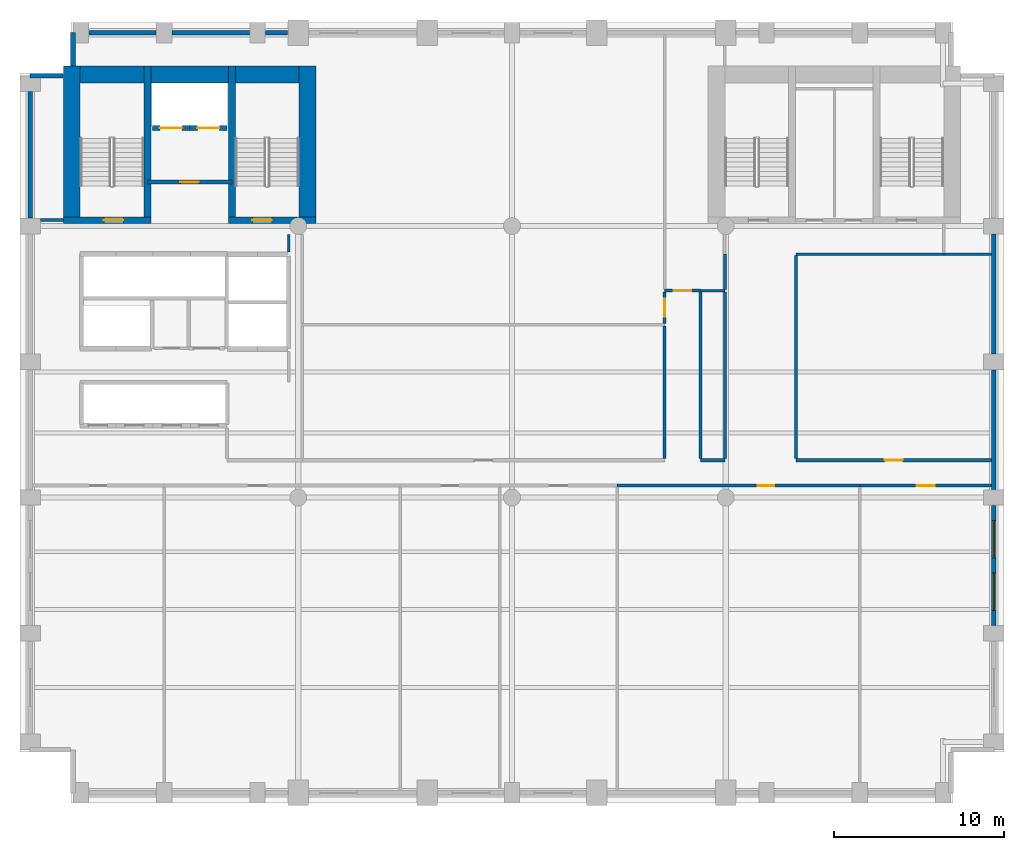
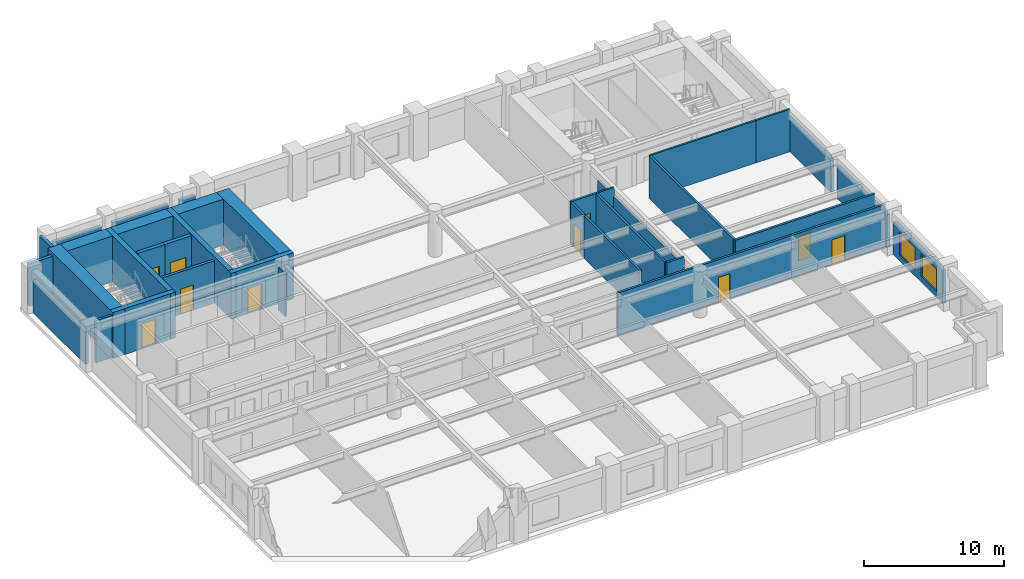
# One storey, part 4 of 8: 35 walls, 10 doors, 2 windows, 12 openings.
"""IFC4 building model written with IfcOpenShell, lengths in metres."""

from ifc_helpers import new_model, si_unit, direction, frame, frame_2d, origin, place, context, subcontext, project, spatial, rectangle, extrude, material, layer, layer_set, type_object, element, fill, save


model = new_model("IFC4")

# Units and contexts
model_context = context("Model", 3, precision=1e-05, world=origin(), true_north=direction((0.0, 1.0)))
body_context = subcontext(model_context, "Body", "Model", "MODEL_VIEW")
ifc_project = project(units=[si_unit("LENGTHUNIT", "METRE"), si_unit("AREAUNIT", "SQUARE_METRE"), si_unit("VOLUMEUNIT", "CUBIC_METRE"), si_unit("PLANEANGLEUNIT", "RADIAN"), si_unit("MASSUNIT", "GRAM", prefix="KILO")], contexts=[model_context])

# Site, building, storey
site_placement = place(None, origin())
site = spatial("IfcSite", under=ifc_project, at=site_placement, CompositionType="ELEMENT")
building_placement = place(site_placement, origin())
building = spatial("IfcBuilding", under=site, at=building_placement, Name="Sulina Concourse Tower", CompositionType="ELEMENT")
storey_placement = place(building_placement, frame((0.0, 0.0, 74.60009765625)))
storey = spatial("IfcBuildingStorey", under=building, at=storey_placement, Name="L18", CompositionType="ELEMENT", Elevation=74.60009765625)

# Wall, opening, door
ifc_material_1 = material(Name="Concrete C50/60", Category="concrete")
ifc_layer_1 = layer(ifc_material_1, 0.300048828125)
ifc_layer_set_1 = layer_set([ifc_layer_1], Name="Concrete C50/60")
wall_type_1 = type_object("IfcWallType", Name="Core Lift Hoistway Wall 300mm", PredefinedType="SOLIDWALL", material=ifc_layer_set_1)
wall_1_placement = place(storey_placement, frame((10.0, 39.780029296875, 0.0), z_axis=(0.0, 0.0, 1.0), x_axis=(-1.0, 0.0, 0.0)))
wall_1 = element("IfcWall", 1, at=wall_1_placement, inside=storey, type_object=wall_type_1, Name="L18 hoistway enclosure wall FFL-1", PredefinedType="SOLIDWALL", context=body_context, shape_type="SweptSolid", body=[
    extrude(rectangle(XDim=2.199951171875, YDim=0.300048828125, at=frame_2d((1.10009765625, 0.0))), origin(), (0.0, 0.0, 1.0), 4.0),
])
opening_1_placement = place(wall_1_placement, frame((0.449951171875, 0.0, 0.0)))
opening_1 = element("IfcOpeningElement", 2, at=opening_1_placement, cuts=wall_1, Name="Opening LD-02", PredefinedType="OPENING", context=body_context, shape_type="SweptSolid", body=[
    extrude(rectangle(XDim=1.300048828125, YDim=2.25, at=frame_2d((0.64990234375, 1.125))), frame((0.0, 0.159912109375, 0.0), z_axis=(0.0, -1.0, 0.0), x_axis=(1.0, 0.0, 0.0)), (0.0, 0.0, 1.0), 0.320068359375),
])
ifc_material_2 = material(Name="Stainless steel lift landing door", Category="steel")
ifc_layer_2 = layer(ifc_material_2, 0.050048828125)
ifc_layer_set_2 = layer_set([ifc_layer_2], Name="Stainless steel lift landing door")
door_type_1 = type_object("IfcDoorType", Name="Firefighting Lift Sliding Landing Door 1300x2250", OperationType="SLIDING_TO_RIGHT", PredefinedType="DOOR", material=ifc_layer_set_2)
door_1_placement = place(opening_1_placement, origin())
door_1 = element("IfcDoor", 3, at=door_1_placement, inside=storey, type_object=door_type_1, Name="L18 lift landing sliding door FFL-1", OperationType="SLIDING_TO_LEFT", OverallHeight=2.25, OverallWidth=1.300048828125, PredefinedType="DOOR", context=body_context, shape_type="SweptSolid", body=[
    extrude(rectangle(XDim=1.300048828125, YDim=2.25, at=frame_2d((0.64990234375, 1.125))), frame((0.0, 0.02490234375, 0.0), z_axis=(0.0, -1.0, 0.0), x_axis=(1.0, 0.0, 0.0)), (0.0, 0.0, 1.0), 0.050048828125),
])
fill(opening_1, door_1)

wall_2_placement = place(storey_placement, frame((12.199951171875, 39.780029296875, 0.0), z_axis=(0.0, 0.0, 1.0), x_axis=(-1.0, 0.0, 0.0)))
wall_2 = element("IfcWall", 4, at=wall_2_placement, inside=storey, type_object=wall_type_1, Name="L18 hoistway enclosure wall FFL-2", PredefinedType="SOLIDWALL", context=body_context, shape_type="SweptSolid", body=[
    extrude(rectangle(XDim=2.199951171875, YDim=0.300048828125, at=frame_2d((1.10009765625, 0.0))), origin(), (0.0, 0.0, 1.0), 4.0),
])
opening_2_placement = place(wall_2_placement, frame((0.449951171875, 0.0, 0.0)))
opening_2 = element("IfcOpeningElement", 5, at=opening_2_placement, cuts=wall_2, Name="Opening LD-02", PredefinedType="OPENING", context=body_context, shape_type="SweptSolid", body=[
    extrude(rectangle(XDim=1.300048828125, YDim=2.25, at=frame_2d((0.64990234375, 1.125))), frame((0.0, 0.159912109375, 0.0), z_axis=(0.0, -1.0, 0.0), x_axis=(1.0, 0.0, 0.0)), (0.0, 0.0, 1.0), 0.320068359375),
])
door_2_placement = place(opening_2_placement, origin())
door_2 = element("IfcDoor", 6, at=door_2_placement, inside=storey, type_object=door_type_1, Name="L18 lift landing sliding door FFL-2", OperationType="SLIDING_TO_RIGHT", OverallHeight=2.25, OverallWidth=1.300048828125, PredefinedType="DOOR", context=body_context, shape_type="SweptSolid", body=[
    extrude(rectangle(XDim=1.300048828125, YDim=2.25, at=frame_2d((0.64990234375, 1.125))), frame((0.0, 0.02490234375, 0.0), z_axis=(0.0, -1.0, 0.0), x_axis=(1.0, 0.0, 0.0)), (0.0, 0.0, 1.0), 0.050048828125),
])
fill(opening_2, door_2)

ifc_material_3 = material(Name="Gypsum board on steel stud", Category="steel")
ifc_layer_3 = layer(ifc_material_3, 0.219970703125)
ifc_layer_set_3 = layer_set([ifc_layer_3], Name="Gypsum board on steel stud")
wall_type_2 = type_object("IfcWallType", Name="Fire-Rated Lobby & Compartment Wall 220mm", PredefinedType="PARTITIONING", material=ifc_layer_set_3)
wall_3_placement = place(storey_placement, frame((7.510009765625, 36.60009765625, 0.0), z_axis=(0.0, 0.0, 1.0), x_axis=(1.0, 0.0, 0.0)))
wall_3 = element("IfcWall", 7, at=wall_3_placement, inside=storey, type_object=wall_type_2, Name="L18 firefighting lobby south fire wall", PredefinedType="PARTITIONING", context=body_context, shape_type="SweptSolid", body=[
    extrude(rectangle(XDim=4.97998046875, YDim=0.219970703125, at=frame_2d((2.489990234375, 0.0))), origin(), (0.0, 0.0, 1.0), 3.699951171875),
])
opening_3_placement = place(wall_3_placement, frame((1.93994140625, 0.0, 0.0)))
opening_3 = element("IfcOpeningElement", 8, at=opening_3_placement, cuts=wall_3, Name="Opening DR-47", PredefinedType="OPENING", context=body_context, shape_type="SweptSolid", body=[
    extrude(rectangle(XDim=1.10009765625, YDim=2.199951171875, at=frame_2d((0.550048828125, 1.10009765625))), frame((0.0, 0.119873046875, 0.0), z_axis=(0.0, -1.0, 0.0), x_axis=(1.0, 0.0, 0.0)), (0.0, 0.0, 1.0), 0.239990234375),
])
ifc_material_4 = material(Name="Galvanised steel acoustic fire leaf", Category="steel")
ifc_layer_4 = layer(ifc_material_4, 0.054931640625)
ifc_layer_set_4 = layer_set([ifc_layer_4], Name="Galvanised steel acoustic fire leaf")
door_type_2 = type_object("IfcDoorType", Name="Firefighting Lobby Fire Door 1100x2200", OperationType="NOTDEFINED", PredefinedType="DOOR", material=ifc_layer_set_4)
door_3_placement = place(opening_3_placement, origin())
door_3 = element("IfcDoor", 9, at=door_3_placement, inside=storey, type_object=door_type_2, Name="L18 firefighting lobby fire door", OperationType="SINGLE_SWING_LEFT", OverallHeight=2.199951171875, OverallWidth=1.10009765625, PredefinedType="DOOR", context=body_context, shape_type="SweptSolid", body=[
    extrude(rectangle(XDim=1.10009765625, YDim=2.199951171875, at=frame_2d((0.550048828125, 1.10009765625))), frame((0.0, 0.02490234375, 0.0), z_axis=(0.0, -1.0, 0.0), x_axis=(1.0, 0.0, 0.0)), (0.0, 0.0, 1.0), 0.050048828125),
])
fill(opening_3, door_3)

# Walls
ifc_material_5 = material(Name="Gypsum board on steel stud", Category="steel")
ifc_layer_5 = layer(ifc_material_5, 0.14990234375)
ifc_layer_set_5 = layer_set([ifc_layer_5], Name="Gypsum board on steel stud")
wall_type_3 = type_object("IfcWallType", Name="Inter-Tenancy Acoustic Partition 150mm", PredefinedType="PARTITIONING", material=ifc_layer_set_5)
wall_4_placement = place(storey_placement, frame((40.10009765625, 30.199951171875, 0.0), z_axis=(0.0, 0.0, 1.0), x_axis=(1.0, 0.0, 0.0)))
element("IfcWall", 10, at=wall_4_placement, inside=storey, type_object=wall_type_3, Name="L18 interior partition 015", PredefinedType="PARTITIONING", context=body_context, shape_type="SweptSolid", body=[
    extrude(rectangle(XDim=1.449951171875, YDim=0.14990234375, at=frame_2d((0.72509765625, 0.0))), origin(), (0.0, 0.0, 1.0), 3.699951171875),
])
wall_5_placement = place(storey_placement, frame((45.75, 32.35009765625, 0.0), z_axis=(0.0, 0.0, 1.0), x_axis=(1.0, 0.0, 0.0)))
element("IfcWall", 11, at=wall_5_placement, inside=storey, type_object=wall_type_3, Name="L18 interior partition 016", PredefinedType="PARTITIONING", context=body_context, shape_type="SweptSolid", body=[
    extrude(rectangle(XDim=8.699951171875, YDim=0.14990234375, at=frame_2d((4.35009765625, 0.0))), origin(), (0.0, 0.0, 1.0), 3.699951171875),
])
wall_6_placement = place(storey_placement, frame((54.449951171875, 32.35009765625, 0.0), z_axis=(0.0, 0.0, 1.0), x_axis=(1.0, 0.0, 0.0)))
element("IfcWall", 12, at=wall_6_placement, inside=storey, type_object=wall_type_3, Name="L18 interior partition 017", PredefinedType="PARTITIONING", context=body_context, shape_type="SweptSolid", body=[
    extrude(rectangle(XDim=2.81005859375, YDim=0.14990234375, at=frame_2d((1.405029296875, 0.0))), origin(), (0.0, 0.0, 1.0), 3.699951171875),
])
wall_7_placement = place(storey_placement, frame((15.85009765625, 32.469970703125, 0.0), z_axis=(0.0, 0.0, 1.0), x_axis=(0.0, 1.0, 0.0)))
element("IfcWall", 13, at=wall_7_placement, inside=storey, type_object=wall_type_3, Name="L18 interior partition 025", PredefinedType="PARTITIONING", context=body_context, shape_type="SweptSolid", body=[
    extrude(rectangle(XDim=1.030029296875, YDim=0.14990234375, at=frame_2d((0.51513671875, 0.0))), origin(), (0.0, 0.0, 1.0), 3.699951171875),
])

# Wall, opening, door
ifc_material_6 = material(Name="Gypsum board on steel stud", Category="steel")
ifc_layer_6 = layer(ifc_material_6, 0.179931640625)
ifc_layer_set_6 = layer_set([ifc_layer_6], Name="Gypsum board on steel stud")
wall_type_4 = type_object("IfcWallType", Name="Protected Corridor & Riser Partition 180mm", PredefinedType="PARTITIONING", material=ifc_layer_set_6)
wall_8_placement = place(storey_placement, frame((35.199951171875, 18.699951171875, 0.0), z_axis=(0.0, 0.0, 1.0), x_axis=(1.0, 0.0, 0.0)))
wall_8 = element("IfcWall", 14, at=wall_8_placement, inside=storey, type_object=wall_type_4, Name="L18 interior partition 005", PredefinedType="PARTITIONING", context=body_context, shape_type="SweptSolid", body=[
    extrude(rectangle(XDim=14.300048828125, YDim=0.179931640625, at=frame_2d((7.14990234375, 0.0))), origin(), (0.0, 0.0, 1.0), 3.699951171875),
])
opening_4_placement = place(wall_8_placement, frame((8.294921875, 0.0, 0.0)))
opening_4 = element("IfcOpeningElement", 15, at=opening_4_placement, cuts=wall_8, Name="Opening DR-19", PredefinedType="OPENING", context=body_context, shape_type="SweptSolid", body=[
    extrude(rectangle(XDim=0.949951171875, YDim=2.14990234375, at=frame_2d((0.47509765625, 1.074951171875))), frame((0.0, 0.099853515625, 0.0), z_axis=(0.0, -1.0, 0.0), x_axis=(1.0, 0.0, 0.0)), (0.0, 0.0, 1.0), 0.199951171875),
])
ifc_material_7 = material(Name="Oak-veneered acoustic timber leaf", Category="wood")
ifc_layer_7 = layer(ifc_material_7, 0.050048828125)
ifc_layer_set_7 = layer_set([ifc_layer_7], Name="Oak-veneered acoustic timber leaf")
door_type_3 = type_object("IfcDoorType", Name="Cellular Office & Meeting Door 950x2150", OperationType="NOTDEFINED", PredefinedType="DOOR", material=ifc_layer_set_7)
door_4_placement = place(opening_4_placement, origin())
door_4 = element("IfcDoor", 16, at=door_4_placement, inside=storey, type_object=door_type_3, Name="L18 interior door L18-S04", OperationType="SINGLE_SWING_RIGHT", OverallHeight=2.14990234375, OverallWidth=0.949951171875, PredefinedType="DOOR", context=body_context, shape_type="SweptSolid", body=[
    extrude(rectangle(XDim=0.949951171875, YDim=2.14990234375, at=frame_2d((0.47509765625, 1.074951171875))), frame((0.0, 0.02490234375, 0.0), z_axis=(0.0, -1.0, 0.0), x_axis=(1.0, 0.0, 0.0)), (0.0, 0.0, 1.0), 0.050048828125),
])
fill(opening_4, door_4)

wall_9_placement = place(storey_placement, frame((49.5, 18.699951171875, 0.0), z_axis=(0.0, 0.0, 1.0), x_axis=(1.0, 0.0, 0.0)))
wall_9 = element("IfcWall", 17, at=wall_9_placement, inside=storey, type_object=wall_type_4, Name="L18 interior partition 006", PredefinedType="PARTITIONING", context=body_context, shape_type="SweptSolid", body=[
    extrude(rectangle(XDim=7.760009765625, YDim=0.179931640625, at=frame_2d((3.8798828125, 0.0))), origin(), (0.0, 0.0, 1.0), 3.699951171875),
])
opening_5_placement = place(wall_9_placement, frame((3.35498046875, 0.0, 0.0)))
opening_5 = element("IfcOpeningElement", 18, at=opening_5_placement, cuts=wall_9, Name="Opening DR-37", PredefinedType="OPENING", context=body_context, shape_type="SweptSolid", body=[
    extrude(rectangle(XDim=1.050048828125, YDim=2.14990234375, at=frame_2d((0.52490234375, 1.074951171875))), frame((0.0, 0.099853515625, 0.0), z_axis=(0.0, -1.0, 0.0), x_axis=(1.0, 0.0, 0.0)), (0.0, 0.0, 1.0), 0.199951171875),
])
ifc_material_8 = material(Name="Oak-veneered fire door leaf")
ifc_layer_8 = layer(ifc_material_8, 0.050048828125)
ifc_layer_set_8 = layer_set([ifc_layer_8], Name="Oak-veneered fire door leaf")
door_type_4 = type_object("IfcDoorType", Name="Tenant Suite Entrance Fire Door 1050x2150", OperationType="NOTDEFINED", PredefinedType="DOOR", material=ifc_layer_set_8)
door_5_placement = place(opening_5_placement, origin())
door_5 = element("IfcDoor", 19, at=door_5_placement, inside=storey, type_object=door_type_4, Name="L18 interior door L18-S05", OperationType="SINGLE_SWING_LEFT", OverallHeight=2.14990234375, OverallWidth=1.050048828125, PredefinedType="DOOR", context=body_context, shape_type="SweptSolid", body=[
    extrude(rectangle(XDim=1.050048828125, YDim=2.14990234375, at=frame_2d((0.52490234375, 1.074951171875))), frame((0.0, 0.02490234375, 0.0), z_axis=(0.0, -1.0, 0.0), x_axis=(1.0, 0.0, 0.0)), (0.0, 0.0, 1.0), 0.050048828125),
])
fill(opening_5, door_5)

# Wall
wall_10_placement = place(storey_placement, frame((40.10009765625, 20.199951171875, 0.0), z_axis=(0.0, 0.0, 1.0), x_axis=(1.0, 0.0, 0.0)))
element("IfcWall", 20, at=wall_10_placement, inside=storey, type_object=wall_type_4, Name="L18 interior partition 009", PredefinedType="PARTITIONING", context=body_context, shape_type="SweptSolid", body=[
    extrude(rectangle(XDim=1.449951171875, YDim=0.179931640625, at=frame_2d((0.72509765625, 0.0))), origin(), (0.0, 0.0, 1.0), 3.699951171875),
])

# Wall, opening, door
wall_11_placement = place(storey_placement, frame((45.75, 20.199951171875, 0.0), z_axis=(0.0, 0.0, 1.0), x_axis=(1.0, 0.0, 0.0)))
wall_11 = element("IfcWall", 21, at=wall_11_placement, inside=storey, type_object=wall_type_4, Name="L18 interior partition 010", PredefinedType="PARTITIONING", context=body_context, shape_type="SweptSolid", body=[
    extrude(rectangle(XDim=11.510009765625, YDim=0.179931640625, at=frame_2d((5.7548828125, 0.0))), origin(), (0.0, 0.0, 1.0), 3.699951171875),
])
opening_6_placement = place(wall_11_placement, frame((5.22998046875, 0.0, 0.0)))
opening_6 = element("IfcOpeningElement", 22, at=opening_6_placement, cuts=wall_11, Name="Opening DR-37", PredefinedType="OPENING", context=body_context, shape_type="SweptSolid", body=[
    extrude(rectangle(XDim=1.050048828125, YDim=2.14990234375, at=frame_2d((0.52490234375, 1.074951171875))), frame((0.0, 0.099853515625, 0.0), z_axis=(0.0, -1.0, 0.0), x_axis=(1.0, 0.0, 0.0)), (0.0, 0.0, 1.0), 0.199951171875),
])
door_6_placement = place(opening_6_placement, origin())
door_6 = element("IfcDoor", 23, at=door_6_placement, inside=storey, type_object=door_type_4, Name="L18 interior door L18-NE1", OperationType="SINGLE_SWING_LEFT", OverallHeight=2.14990234375, OverallWidth=1.050048828125, PredefinedType="DOOR", context=body_context, shape_type="SweptSolid", body=[
    extrude(rectangle(XDim=1.050048828125, YDim=2.14990234375, at=frame_2d((0.52490234375, 1.074951171875))), frame((0.0, 0.02490234375, 0.0), z_axis=(0.0, -1.0, 0.0), x_axis=(1.0, 0.0, 0.0)), (0.0, 0.0, 1.0), 0.050048828125),
])
fill(opening_6, door_6)

wall_12_placement = place(storey_placement, frame((38.0, 30.199951171875, 0.0), z_axis=(0.0, 0.0, 1.0), x_axis=(1.0, 0.0, 0.0)))
wall_12 = element("IfcWall", 24, at=wall_12_placement, inside=storey, type_object=wall_type_4, Name="L18 interior partition 014", PredefinedType="PARTITIONING", context=body_context, shape_type="SweptSolid", body=[
    extrude(rectangle(XDim=2.10009765625, YDim=0.179931640625, at=frame_2d((1.050048828125, 0.0))), origin(), (0.0, 0.0, 1.0), 3.699951171875),
])
opening_7_placement = place(wall_12_placement, frame((0.52490234375, 0.0, 0.0)))
opening_7 = element("IfcOpeningElement", 25, at=opening_7_placement, cuts=wall_12, Name="Opening DR-37", PredefinedType="OPENING", context=body_context, shape_type="SweptSolid", body=[
    extrude(rectangle(XDim=1.050048828125, YDim=2.14990234375, at=frame_2d((0.52490234375, 1.074951171875))), frame((0.0, 0.099853515625, 0.0), z_axis=(0.0, -1.0, 0.0), x_axis=(1.0, 0.0, 0.0)), (0.0, 0.0, 1.0), 0.199951171875),
])
door_7_placement = place(opening_7_placement, origin())
door_7 = element("IfcDoor", 26, at=door_7_placement, inside=storey, type_object=door_type_4, Name="L18 interior door L18-NC4", OperationType="SINGLE_SWING_LEFT", OverallHeight=2.14990234375, OverallWidth=1.050048828125, PredefinedType="DOOR", context=body_context, shape_type="SweptSolid", body=[
    extrude(rectangle(XDim=1.050048828125, YDim=2.14990234375, at=frame_2d((0.52490234375, 1.074951171875))), frame((0.0, 0.02490234375, 0.0), z_axis=(0.0, -1.0, 0.0), x_axis=(1.0, 0.0, 0.0)), (0.0, 0.0, 1.0), 0.050048828125),
])
fill(opening_7, door_7)

# Walls
wall_13_placement = place(storey_placement, frame((1.199951171875, 34.35009765625, 0.0), z_axis=(0.0, 0.0, 1.0), x_axis=(1.0, 0.0, 0.0)))
element("IfcWall", 27, at=wall_13_placement, inside=storey, type_object=wall_type_4, Name="L18 interior partition 018", PredefinedType="PARTITIONING", context=body_context, shape_type="SweptSolid", body=[
    extrude(rectangle(XDim=1.35009765625, YDim=0.179931640625, at=frame_2d((0.675048828125, 0.0))), origin(), (0.0, 0.0, 1.0), 3.699951171875),
])
wall_14_placement = place(storey_placement, frame((38.0, 20.2900390625, 0.0), z_axis=(0.0, 0.0, 1.0), x_axis=(0.0, 1.0, 0.0)))
element("IfcWall", 28, at=wall_14_placement, inside=storey, type_object=wall_type_4, Name="L18 interior partition 031", PredefinedType="PARTITIONING", context=body_context, shape_type="SweptSolid", body=[
    extrude(rectangle(XDim=7.8349609375, YDim=0.179931640625, at=frame_2d((3.91748046875, 0.0))), origin(), (0.0, 0.0, 1.0), 3.699951171875),
])

# Wall, opening, door
wall_15_placement = place(storey_placement, frame((38.0, 28.27490234375, 0.0), z_axis=(0.0, 0.0, 1.0), x_axis=(0.0, 1.0, 0.0)))
wall_15 = element("IfcWall", 29, at=wall_15_placement, inside=storey, type_object=wall_type_4, Name="L18 interior partition 032", PredefinedType="PARTITIONING", context=body_context, shape_type="SweptSolid", body=[
    extrude(rectangle(XDim=1.835205078125, YDim=0.179931640625, at=frame_2d((0.91748046875, 0.0))), origin(), (0.0, 0.0, 1.0), 3.699951171875),
])
opening_8_placement = place(wall_15_placement, frame((0.392578125, 0.0, 0.0)))
opening_8 = element("IfcOpeningElement", 30, at=opening_8_placement, cuts=wall_15, Name="Opening DR-37", PredefinedType="OPENING", context=body_context, shape_type="SweptSolid", body=[
    extrude(rectangle(XDim=1.050048828125, YDim=2.14990234375, at=frame_2d((0.52490234375, 1.074951171875))), frame((0.0, 0.099853515625, 0.0), z_axis=(0.0, -1.0, 0.0), x_axis=(1.0, 0.0, 0.0)), (0.0, 0.0, 1.0), 0.199951171875),
])
door_8_placement = place(opening_8_placement, origin())
door_8 = element("IfcDoor", 31, at=door_8_placement, inside=storey, type_object=door_type_4, Name="L18 interior door L18-NC2", OperationType="SINGLE_SWING_RIGHT", OverallHeight=2.14990234375, OverallWidth=1.050048828125, PredefinedType="DOOR", context=body_context, shape_type="SweptSolid", body=[
    extrude(rectangle(XDim=1.050048828125, YDim=2.14990234375, at=frame_2d((0.52490234375, 1.074951171875))), frame((0.0, 0.02490234375, 0.0), z_axis=(0.0, -1.0, 0.0), x_axis=(1.0, 0.0, 0.0)), (0.0, 0.0, 1.0), 0.050048828125),
])
fill(opening_8, door_8)

# Walls
wall_16_placement = place(storey_placement, frame((40.10009765625, 20.2900390625, 0.0), z_axis=(0.0, 0.0, 1.0), x_axis=(0.0, 1.0, 0.0)))
element("IfcWall", 32, at=wall_16_placement, inside=storey, type_object=wall_type_4, Name="L18 interior partition 034", PredefinedType="PARTITIONING", context=body_context, shape_type="SweptSolid", body=[
    extrude(rectangle(XDim=9.820068359375, YDim=0.179931640625, at=frame_2d((4.91015625, 0.0))), origin(), (0.0, 0.0, 1.0), 3.699951171875),
])
wall_17_placement = place(storey_placement, frame((41.550048828125, 20.2900390625, 0.0), z_axis=(0.0, 0.0, 1.0), x_axis=(0.0, 1.0, 0.0)))
element("IfcWall", 33, at=wall_17_placement, inside=storey, type_object=wall_type_4, Name="L18 interior partition 035", PredefinedType="PARTITIONING", context=body_context, shape_type="SweptSolid", body=[
    extrude(rectangle(XDim=9.8349609375, YDim=0.179931640625, at=frame_2d((4.91748046875, 0.0))), origin(), (0.0, 0.0, 1.0), 2.994873046875),
])
wall_18_placement = place(storey_placement, frame((41.550048828125, 30.27490234375, 0.0), z_axis=(0.0, 0.0, 1.0), x_axis=(0.0, 1.0, 0.0)))
element("IfcWall", 34, at=wall_18_placement, inside=storey, type_object=wall_type_4, Name="L18 interior partition 036", PredefinedType="PARTITIONING", context=body_context, shape_type="SweptSolid", body=[
    extrude(rectangle(XDim=2.0751953125, YDim=0.179931640625, at=frame_2d((1.03759765625, 0.0))), origin(), (0.0, 0.0, 1.0), 2.994873046875),
])
wall_19_placement = place(storey_placement, frame((45.75, 20.2900390625, 0.0), z_axis=(0.0, 0.0, 1.0), x_axis=(0.0, 1.0, 0.0)))
element("IfcWall", 35, at=wall_19_placement, inside=storey, type_object=wall_type_4, Name="L18 interior partition 039", PredefinedType="PARTITIONING", context=body_context, shape_type="SweptSolid", body=[
    extrude(rectangle(XDim=11.98486328125, YDim=0.179931640625, at=frame_2d((5.992431640625, 0.0))), origin(), (0.0, 0.0, 1.0), 3.699951171875),
])

# Wall, opening, door
ifc_material_9 = material(Name="Concrete C60/75", Category="concrete")
ifc_layer_9 = layer(ifc_material_9, 0.39990234375)
ifc_layer_set_9 = layer_set([ifc_layer_9], Name="Concrete C60/75")
wall_type_5 = type_object("IfcWallType", Name="Protected Stair Core Shear Wall 400mm", PredefinedType="SHEAR", material=ifc_layer_set_9)
wall_20_placement = place(storey_placement, frame((2.550048828125, 34.35009765625, 0.0), z_axis=(0.0, 0.0, 1.0), x_axis=(1.0, 0.0, 0.0)))
wall_20 = element("IfcWall", 36, at=wall_20_placement, inside=storey, type_object=wall_type_5, Name="L18 west core shear wall CW-WS1", PredefinedType="SHEAR", context=body_context, shape_type="SweptSolid", body=[
    extrude(rectangle(XDim=5.159912109375, YDim=0.39990234375, at=frame_2d((2.580078125, 0.0))), origin(), (0.0, 0.0, 1.0), 4.0),
])
opening_9_placement = place(wall_20_placement, frame((2.39990234375, 0.0, 0.0)))
opening_9 = element("IfcOpeningElement", 37, at=opening_9_placement, cuts=wall_20, Name="Opening DR-60", PredefinedType="OPENING", context=body_context, shape_type="SweptSolid", body=[
    extrude(rectangle(XDim=1.14990234375, YDim=2.199951171875, at=frame_2d((0.574951171875, 1.10009765625))), frame((0.0, 0.2099609375, 0.0), z_axis=(0.0, -1.0, 0.0), x_axis=(1.0, 0.0, 0.0)), (0.0, 0.0, 1.0), 0.419921875),
])
ifc_material_10 = material(Name="Galvanised steel acoustic fire leaf", Category="steel")
ifc_layer_10 = layer(ifc_material_10, 0.054931640625)
ifc_layer_set_10 = layer_set([ifc_layer_10], Name="Galvanised steel acoustic fire leaf")
door_type_5 = type_object("IfcDoorType", Name="Protected Exit Stair Fire Door 1150x2200", OperationType="NOTDEFINED", PredefinedType="DOOR", material=ifc_layer_set_10)
door_9_placement = place(opening_9_placement, origin())
door_9 = element("IfcDoor", 38, at=door_9_placement, inside=storey, type_object=door_type_5, Name="L18 stair ST-1 lobby fire door", OperationType="SINGLE_SWING_LEFT", OverallHeight=2.199951171875, OverallWidth=1.14990234375, PredefinedType="DOOR", context=body_context, shape_type="SweptSolid", body=[
    extrude(rectangle(XDim=1.14990234375, YDim=2.199951171875, at=frame_2d((0.574951171875, 1.10009765625))), frame((0.0, 0.02490234375, 0.0), z_axis=(0.0, -1.0, 0.0), x_axis=(1.0, 0.0, 0.0)), (0.0, 0.0, 1.0), 0.050048828125),
])
fill(opening_9, door_9)

wall_21_placement = place(storey_placement, frame((12.2900390625, 34.35009765625, 0.0), z_axis=(0.0, 0.0, 1.0), x_axis=(1.0, 0.0, 0.0)))
wall_21 = element("IfcWall", 39, at=wall_21_placement, inside=storey, type_object=wall_type_5, Name="L18 west core shear wall CW-WS2", PredefinedType="SHEAR", context=body_context, shape_type="SweptSolid", body=[
    extrude(rectangle(XDim=5.159912109375, YDim=0.39990234375, at=frame_2d((2.580078125, 0.0))), origin(), (0.0, 0.0, 1.0), 4.0),
])
opening_10_placement = place(wall_21_placement, frame((1.39990234375, 0.0, 0.0)))
opening_10 = element("IfcOpeningElement", 40, at=opening_10_placement, cuts=wall_21, Name="Opening DR-60", PredefinedType="OPENING", context=body_context, shape_type="SweptSolid", body=[
    extrude(rectangle(XDim=1.14990234375, YDim=2.199951171875, at=frame_2d((0.574951171875, 1.10009765625))), frame((0.0, 0.2099609375, 0.0), z_axis=(0.0, -1.0, 0.0), x_axis=(1.0, 0.0, 0.0)), (0.0, 0.0, 1.0), 0.419921875),
])
door_10_placement = place(opening_10_placement, origin())
door_10 = element("IfcDoor", 41, at=door_10_placement, inside=storey, type_object=door_type_5, Name="L18 stair ST-2 lobby fire door", OperationType="SINGLE_SWING_RIGHT", OverallHeight=2.199951171875, OverallWidth=1.14990234375, PredefinedType="DOOR", context=body_context, shape_type="SweptSolid", body=[
    extrude(rectangle(XDim=1.14990234375, YDim=2.199951171875, at=frame_2d((0.574951171875, 1.10009765625))), frame((0.0, 0.02490234375, 0.0), z_axis=(0.0, -1.0, 0.0), x_axis=(1.0, 0.0, 0.0)), (0.0, 0.0, 1.0), 0.050048828125),
])
fill(opening_10, door_10)

# Walls
for number, where, z_axis, x_axis, name in (
    (42, (7.510009765625, 34.14990234375, 0.0), (0.0, 0.0, 1.0), (0.0, 1.0, 0.0), "L18 west core shear wall SW-ST1"),
    (43, (12.489990234375, 34.14990234375, 0.0), (0.0, 0.0, 1.0), (0.0, 1.0, 0.0), "L18 west core shear wall SW-ST2"),
):
    element("IfcWall", number, at=place(storey_placement, frame(where, z_axis=z_axis, x_axis=x_axis)), inside=storey, type_object=wall_type_5, Name=name, PredefinedType="SHEAR", context=body_context, shape_type="SweptSolid", body=[
        extrude(rectangle(XDim=9.280029296875, YDim=0.39990234375, at=frame_2d((4.64013671875, 0.0))), origin(), (0.0, 0.0, 1.0), 4.0),
    ])
ifc_material_11 = material(Name="Concrete C80/95", Category="concrete")
ifc_layer_11 = layer(ifc_material_11, 1.0)
ifc_layer_set_11 = layer_set([ifc_layer_11], Name="Concrete C80/95")
wall_type_6 = type_object("IfcWallType", Name="Rear Core Shear Wall 1000mm", PredefinedType="SHEAR", material=ifc_layer_set_11)
wall_22_placement = place(storey_placement, frame((2.550048828125, 42.929931640625, 0.0), z_axis=(0.0, 0.0, 1.0), x_axis=(1.0, 0.0, 0.0)))
element("IfcWall", 44, at=wall_22_placement, inside=storey, type_object=wall_type_6, Name="L18 west core shear wall CW-WN", PredefinedType="SHEAR", context=body_context, shape_type="SweptSolid", body=[
    extrude(rectangle(XDim=14.89990234375, YDim=1.0, at=frame_2d((7.449951171875, 0.0))), origin(), (0.0, 0.0, 1.0), 4.0),
])
for number, where, z_axis, x_axis, name in (
    (45, (3.050048828125, 34.14990234375, 0.0), (0.0, 0.0, 1.0), (0.0, 1.0, 0.0), "L18 west core shear wall CW-WW"),
    (46, (16.949951171875, 34.14990234375, 0.0), (0.0, 0.0, 1.0), (0.0, 1.0, 0.0), "L18 west core shear wall CW-WE"),
):
    element("IfcWall", number, at=place(storey_placement, frame(where, z_axis=z_axis, x_axis=x_axis)), inside=storey, type_object=wall_type_6, Name=name, PredefinedType="SHEAR", context=body_context, shape_type="SweptSolid", body=[
        extrude(rectangle(XDim=9.280029296875, YDim=1.0, at=frame_2d((4.64013671875, 0.0))), origin(), (0.0, 0.0, 1.0), 4.0),
    ])
ifc_material_12 = material(Name="Precast concrete C50/60", Category="concrete")
ifc_layer_12 = layer(ifc_material_12, 0.280029296875)
ifc_layer_set_12 = layer_set([ifc_layer_12], Name="Precast concrete C50/60")
wall_type_7 = type_object("IfcWallType", Name="Typical Precast Masonry-Frame Facade Wall 280mm", PredefinedType="SOLIDWALL", material=ifc_layer_set_12)
wall_23_placement = place(storey_placement, frame((0.60009765625, 34.469970703125, 0.0), z_axis=(0.0, 0.0, 1.0), x_axis=(0.0, 1.0, 0.0)))
element("IfcWall", 47, at=wall_23_placement, inside=storey, type_object=wall_type_7, Name="L18 exterior precast wall W5", PredefinedType="SOLIDWALL", context=body_context, shape_type="SweptSolid", body=[
    extrude(rectangle(XDim=7.4599609375, YDim=0.280029296875, at=frame_2d((3.72998046875, 0.0))), origin(), (0.0, 0.0, 1.0), 2.849853515625),
])
wall_24_placement = place(storey_placement, frame((4.070068359375, 45.39990234375, 0.0), z_axis=(0.0, 0.0, 1.0), x_axis=(1.0, 0.0, 0.0)))
element("IfcWall", 48, at=wall_24_placement, inside=storey, type_object=wall_type_7, Name="L18 exterior precast wall N1", PredefinedType="SOLIDWALL", context=body_context, shape_type="SweptSolid", body=[
    extrude(rectangle(XDim=3.9599609375, YDim=0.280029296875, at=frame_2d((1.97998046875, 0.0))), origin(), (0.0, 0.0, 1.0), 2.849853515625),
])
wall_25_placement = place(storey_placement, frame((8.969970703125, 45.39990234375, 0.0), z_axis=(0.0, 0.0, 1.0), x_axis=(1.0, 0.0, 0.0)))
element("IfcWall", 49, at=wall_25_placement, inside=storey, type_object=wall_type_7, Name="L18 exterior precast wall N2", PredefinedType="SOLIDWALL", context=body_context, shape_type="SweptSolid", body=[
    extrude(rectangle(XDim=4.56005859375, YDim=0.280029296875, at=frame_2d((2.280029296875, 0.0))), origin(), (0.0, 0.0, 1.0), 2.849853515625),
])
wall_26_placement = place(storey_placement, frame((14.469970703125, 45.39990234375, 0.0), z_axis=(0.0, 0.0, 1.0), x_axis=(1.0, 0.0, 0.0)))
element("IfcWall", 50, at=wall_26_placement, inside=storey, type_object=wall_type_7, Name="L18 exterior precast wall N3", PredefinedType="SOLIDWALL", context=body_context, shape_type="SweptSolid", body=[
    extrude(rectangle(XDim=1.31005859375, YDim=0.280029296875, at=frame_2d((0.655029296875, 0.0))), origin(), (0.0, 0.0, 1.0), 2.849853515625),
])

# Wall, openings, windows
wall_27_placement = place(storey_placement, frame((57.39990234375, 17.530029296875, 0.0), z_axis=(0.0, 0.0, 1.0), x_axis=(0.0, -1.0, 0.0)))
wall_27 = element("IfcWall", 51, at=wall_27_placement, inside=storey, type_object=wall_type_7, Name="L18 exterior precast wall E2", PredefinedType="SOLIDWALL", context=body_context, shape_type="SweptSolid", body=[
    extrude(rectangle(XDim=7.06005859375, YDim=0.280029296875, at=frame_2d((3.530029296875, 0.0))), origin(), (0.0, 0.0, 1.0), 2.849853515625),
])
opening_11_placement = place(wall_27_placement, frame((0.88671875, 0.0, 0.5)))
opening_11 = element("IfcOpeningElement", 52, at=opening_11_placement, cuts=wall_27, Name="Opening WN-76", PredefinedType="OPENING", context=body_context, shape_type="SweptSolid", body=[
    extrude(rectangle(XDim=2.199951171875, YDim=1.949951171875, at=frame_2d((1.10009765625, 0.97509765625))), frame((0.0, 0.14990234375, 0.0), z_axis=(0.0, -1.0, 0.0), x_axis=(1.0, 0.0, 0.0)), (0.0, 0.0, 1.0), 0.300048828125),
])
opening_12_placement = place(wall_27_placement, frame((3.973388671875, 0.0, 0.5)))
opening_12 = element("IfcOpeningElement", 53, at=opening_12_placement, cuts=wall_27, Name="Opening WN-76", PredefinedType="OPENING", context=body_context, shape_type="SweptSolid", body=[
    extrude(rectangle(XDim=2.199951171875, YDim=1.949951171875, at=frame_2d((1.10009765625, 0.97509765625))), frame((0.0, 0.14990234375, 0.0), z_axis=(0.0, -1.0, 0.0), x_axis=(1.0, 0.0, 0.0)), (0.0, 0.0, 1.0), 0.300048828125),
])
ifc_material_13 = material(Name="Low-E solar double glazing in bronze aluminium", Category="aluminium")
window_type = type_object("IfcWindowType", Name="Recessed Spandrel Window 2200x1950", PartitioningType="DOUBLE_PANEL_VERTICAL", PredefinedType="WINDOW", material=ifc_material_13)
window_1_placement = place(opening_11_placement, origin())
window_1 = element("IfcWindow", 54, at=window_1_placement, inside=storey, type_object=window_type, Name="L18 punched window E2-1", OverallHeight=1.949951171875, OverallWidth=2.199951171875, PartitioningType="SINGLE_PANEL", PredefinedType="WINDOW", context=body_context, shape_type="SweptSolid", body=[
    extrude(rectangle(XDim=2.199951171875, YDim=1.949951171875, at=frame_2d((1.10009765625, 0.97509765625))), frame((0.0, 0.030029296875, 0.0), z_axis=(0.0, -1.0, 0.0), x_axis=(1.0, 0.0, 0.0)), (0.0, 0.0, 1.0), 0.06005859375),
])
fill(opening_11, window_1)
window_2_placement = place(opening_12_placement, origin())
window_2 = element("IfcWindow", 55, at=window_2_placement, inside=storey, type_object=window_type, Name="L18 punched window E2-2", OverallHeight=1.949951171875, OverallWidth=2.199951171875, PartitioningType="SINGLE_PANEL", PredefinedType="WINDOW", context=body_context, shape_type="SweptSolid", body=[
    extrude(rectangle(XDim=2.199951171875, YDim=1.949951171875, at=frame_2d((1.10009765625, 0.97509765625))), frame((0.0, 0.030029296875, 0.0), z_axis=(0.0, -1.0, 0.0), x_axis=(1.0, 0.0, 0.0)), (0.0, 0.0, 1.0), 0.06005859375),
])
fill(opening_12, window_2)

# Walls
for number, where, z_axis, x_axis, name in (
    (56, (57.39990234375, 25.530029296875, 0.0), (0.0, 0.0, 1.0), (0.0, -1.0, 0.0), "L18 exterior precast wall E3"),
    (57, (57.39990234375, 33.530029296875, 0.0), (0.0, 0.0, 1.0), (0.0, -1.0, 0.0), "L18 exterior precast wall E4"),
):
    element("IfcWall", number, at=place(storey_placement, frame(where, z_axis=z_axis, x_axis=x_axis)), inside=storey, type_object=wall_type_7, Name=name, PredefinedType="SOLIDWALL", context=body_context, shape_type="SweptSolid", body=[
        extrude(rectangle(XDim=7.06005859375, YDim=0.280029296875, at=frame_2d((3.530029296875, 0.0))), origin(), (0.0, 0.0, 1.0), 2.849853515625),
    ])
wall_28_placement = place(storey_placement, frame((0.60009765625, 42.8701171875, 0.0), z_axis=(0.0, 0.0, 1.0), x_axis=(1.0, 0.0, 0.0)))
element("IfcWall", 58, at=wall_28_placement, inside=storey, type_object=wall_type_7, Name="L18 exterior precast wall CNW1", PredefinedType="SOLIDWALL", context=body_context, shape_type="SweptSolid", body=[
    extrude(rectangle(XDim=1.94482421875, YDim=0.280029296875, at=frame_2d((0.972412109375, 0.0))), origin(), (0.0, 0.0, 1.0), 3.699951171875),
])
wall_29_placement = place(storey_placement, frame((3.1298828125, 43.43505859375, 0.0), z_axis=(0.0, 0.0, 1.0), x_axis=(0.0, 1.0, 0.0)))
element("IfcWall", 59, at=wall_29_placement, inside=storey, type_object=wall_type_7, Name="L18 exterior precast wall CNW2", PredefinedType="SOLIDWALL", context=body_context, shape_type="SweptSolid", body=[
    extrude(rectangle(XDim=1.96484375, YDim=0.280029296875, at=frame_2d((0.982421875, 0.0))), origin(), (0.0, 0.0, 1.0), 3.699951171875),
])

save(model, "model.ifc")
